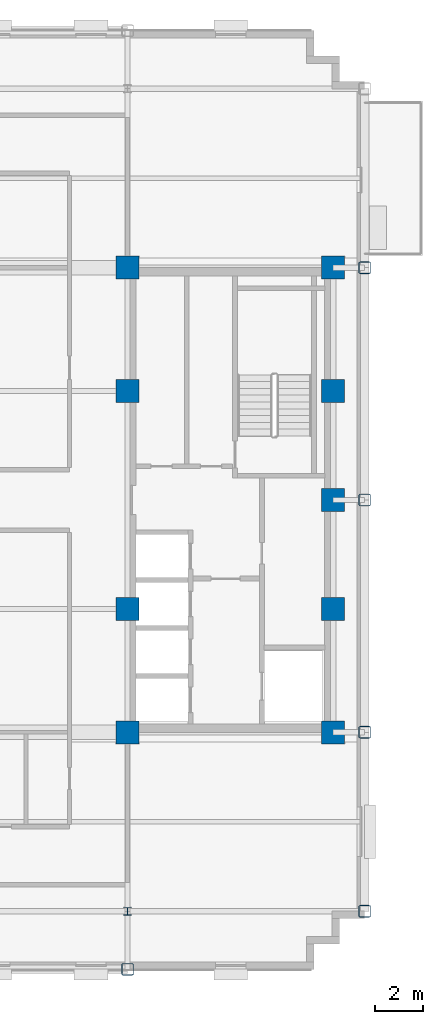
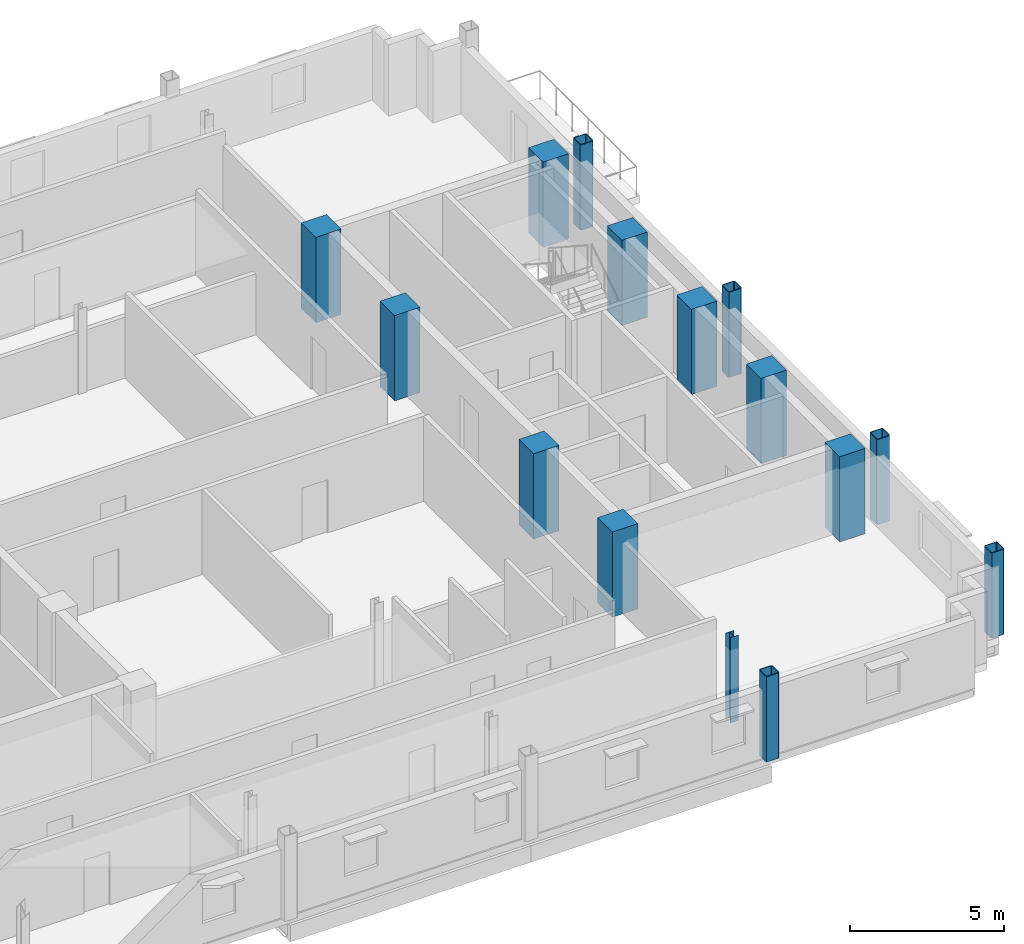
# One storey, part 2 of 13: 15 columns.
"""IFC4 building model written with IfcOpenShell, lengths in metres."""

from ifc_helpers import new_model, si_unit, direction, frame, origin, origin_2d, place, context, subcontext, project, spatial, rectangle, hollow_rectangle, i_section, extrude, material, material_profile, profile_set, type_object, element, save


model = new_model("IFC4")

# Units and contexts
model_context = context("Model", 3, precision=1e-05, world=origin(), true_north=direction((0.0, 1.0)))
body_context = subcontext(model_context, "Body", "Model", "MODEL_VIEW")
ifc_project = project(units=[si_unit("LENGTHUNIT", "METRE"), si_unit("AREAUNIT", "SQUARE_METRE"), si_unit("VOLUMEUNIT", "CUBIC_METRE"), si_unit("PLANEANGLEUNIT", "RADIAN"), si_unit("MASSUNIT", "GRAM", prefix="KILO")], contexts=[model_context])

# Site, building, storey
site_placement = place(None, origin())
site = spatial("IfcSite", under=ifc_project, at=site_placement, CompositionType="ELEMENT")
building_placement = place(site_placement, origin())
building = spatial("IfcBuilding", under=site, at=building_placement, Name="Nuvemarco Arch Tower", CompositionType="ELEMENT")
storey_placement = place(building_placement, frame((0.0, 0.0, 216.449951171875)))
storey = spatial("IfcBuildingStorey", under=building, at=storey_placement, Name="L57", CompositionType="ELEMENT", Elevation=216.449951171875)

# Columns
ifc_material_1 = material(Name="Concrete C50/60", Category="concrete")
ifc_material_profile_1 = material_profile(ifc_material_1, rectangle(XDim=0.949951171875, YDim=0.949951171875, at=origin_2d()), Name="RC-COL-950x950")
ifc_profile_set_1 = profile_set([ifc_material_profile_1], Name="Concrete C50/60")
column_type_1 = type_object("IfcColumnType", Name="COL-CORE-950", PredefinedType="COLUMN", material=ifc_profile_set_1)
for number, where, z_axis, x_axis, name in (
    (1, (9.0, -9.60009765625, 0.0), (0.0, 0.0, 1.0), (1.0, 0.0, 0.0), "L57 column CC_+9.0_-9.6"),
    (2, (9.0, -4.5, 0.0), (0.0, 0.0, 1.0), (1.0, 0.0, 0.0), "L57 column CC_+9.0_-4.5"),
    (3, (9.0, 4.5, 0.0), (0.0, 0.0, 1.0), (1.0, 0.0, 0.0), "L57 column CC_+9.0_+4.5"),
    (4, (9.0, 9.60009765625, 0.0), (0.0, 0.0, 1.0), (1.0, 0.0, 0.0), "L57 column CC_+9.0_+9.6"),
    (5, (17.5, -9.60009765625, 0.0), (0.0, 0.0, 1.0), (1.0, 0.0, 0.0), "L57 column CC_+17.5_-9.6"),
    (6, (17.5, -4.5, 0.0), (0.0, 0.0, 1.0), (1.0, 0.0, 0.0), "L57 column CC_+17.5_-4.5"),
    (7, (17.5, 4.5, 0.0), (0.0, 0.0, 1.0), (1.0, 0.0, 0.0), "L57 column CC_+17.5_+4.5"),
    (8, (17.5, 9.60009765625, 0.0), (0.0, 0.0, 1.0), (1.0, 0.0, 0.0), "L57 column CC_+17.5_+9.6"),
    (9, (17.5, 0.0, 0.0), (0.0, 0.0, 1.0), (1.0, 0.0, 0.0), "L57 column CC_+17.5_+0.0"),
):
    element("IfcColumn", number, at=place(storey_placement, frame(where, z_axis=z_axis, x_axis=x_axis)), inside=storey, type_object=column_type_1, Name=name, PredefinedType="COLUMN", context=body_context, shape_type="SweptSolid", body=[
        extrude(rectangle(XDim=0.949951171875, YDim=0.949951171875, at=origin_2d()), origin(), (0.0, 0.0, 1.0), 3.3701171875),
    ])
ifc_material_2 = material(Name="Steel S355", Category="steel")
ifc_material_profile_2 = material_profile(ifc_material_2, hollow_rectangle(XDim=0.5, YDim=0.5, WallThickness=0.031982421875, InnerFilletRadius=0.031982421875, OuterFilletRadius=0.06396484375, at=origin_2d()), Name="SHS500x500x32")
ifc_profile_set_2 = profile_set([ifc_material_profile_2], Name="Steel S355")
column_type_2 = type_object("IfcColumnType", Name="COL-EXO-500", PredefinedType="COLUMN", material=ifc_profile_set_2)
for number, where, z_axis, x_axis, name in (
    (10, (18.800048828125, -17.0, 0.0), (0.0, 0.0, 1.0), (1.0, 0.0, 0.0), "L57 column CX_+18.8_-17.0"),
    (11, (18.800048828125, -9.60009765625, 0.0), (0.0, 0.0, 1.0), (1.0, 0.0, 0.0), "L57 column CX_+18.8_-9.6"),
    (12, (18.800048828125, 0.0, 0.0), (0.0, 0.0, 1.0), (1.0, 0.0, 0.0), "L57 column CX_+18.8_+0.0"),
    (13, (18.800048828125, 9.60009765625, 0.0), (0.0, 0.0, 1.0), (1.0, 0.0, 0.0), "L57 column CX_+18.8_+9.6"),
    (14, (9.0, -19.39990234375, 0.0), (0.0, 0.0, 1.0), (1.0, 0.0, 0.0), "L57 column CY_+9.0_-19.4"),
):
    element("IfcColumn", number, at=place(storey_placement, frame(where, z_axis=z_axis, x_axis=x_axis)), inside=storey, type_object=column_type_2, Name=name, PredefinedType="COLUMN", context=body_context, shape_type="SweptSolid", body=[
        extrude(hollow_rectangle(XDim=0.5, YDim=0.5, WallThickness=0.031982421875, InnerFilletRadius=0.031982421875, OuterFilletRadius=0.06396484375, at=origin_2d()), origin(), (0.0, 0.0, 1.0), 3.3701171875),
    ])
ifc_material_profile_3 = material_profile(ifc_material_2, i_section(OverallWidth=0.31005859375, OverallDepth=0.31005859375, WebThickness=0.015380859375, FlangeThickness=0.015380859375, FilletRadius=0.014892578125, at=origin_2d()), Name="HP310x110")
ifc_profile_set_3 = profile_set([ifc_material_profile_3], Name="Steel S355")
column_type_3 = type_object("IfcColumnType", Name="COL-STL-HP310", PredefinedType="COLUMN", material=ifc_profile_set_3)
column_placement = place(storey_placement, frame((9.0, -17.0, 0.0), z_axis=(0.0, 0.0, 1.0), x_axis=(1.0, 0.0, 0.0)))
element("IfcColumn", 15, at=column_placement, inside=storey, type_object=column_type_3, Name="L57 column CI_+9.0_-17.0", PredefinedType="COLUMN", context=body_context, shape_type="SweptSolid", body=[
    extrude(i_section(OverallWidth=0.31005859375, OverallDepth=0.31005859375, WebThickness=0.015380859375, FlangeThickness=0.015380859375, FilletRadius=0.014892578125, at=origin_2d()), origin(), (0.0, 0.0, 1.0), 3.3701171875),
])

save(model, "model.ifc")
